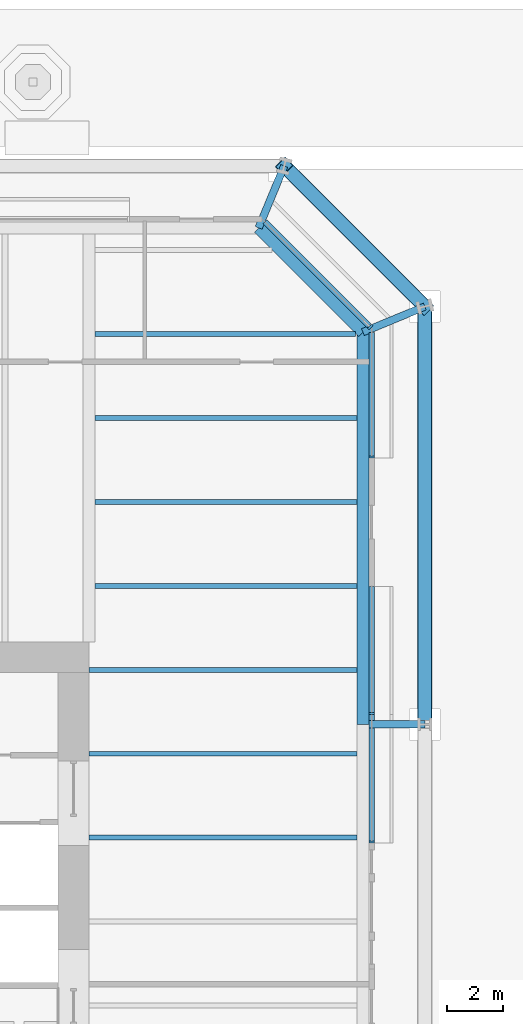
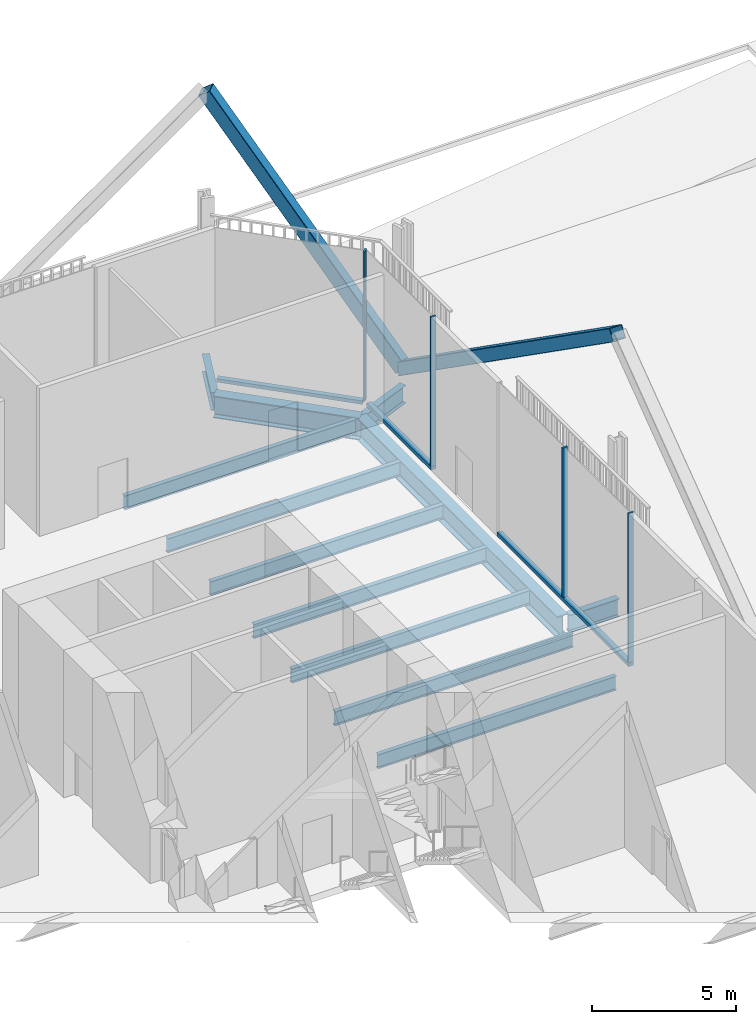
# One storey, part 11 of 28: 12 beams, 9 members, 2 elements without a shape of their own.
"""IFC4 building model written with IfcOpenShell, lengths in metres."""

from ifc_helpers import new_model, si_unit, direction, frame, origin, origin_2d, place, context, subcontext, project, spatial, rectangle, hollow_rectangle, i_section, extrude, material, layer, layer_set, material_profile, profile_set, type_object, element, aggregate, save


model = new_model("IFC4")

# Units and contexts
model_context = context("Model", 3, precision=1e-05, world=origin(), true_north=direction((0.0, 1.0)))
body_context = subcontext(model_context, "Body", "Model", "MODEL_VIEW")
ifc_project = project(units=[si_unit("LENGTHUNIT", "METRE"), si_unit("AREAUNIT", "SQUARE_METRE"), si_unit("VOLUMEUNIT", "CUBIC_METRE"), si_unit("PLANEANGLEUNIT", "RADIAN"), si_unit("MASSUNIT", "GRAM", prefix="KILO")], contexts=[model_context])

# Site, building, storey
site_placement = place(None, origin())
site = spatial("IfcSite", under=ifc_project, at=site_placement, CompositionType="ELEMENT")
building_placement = place(site_placement, origin())
building = spatial("IfcBuilding", under=site, at=building_placement, Name="Millrace Tower", CompositionType="ELEMENT")
storey_placement = place(building_placement, origin())
storey = spatial("IfcBuildingStorey", under=building, at=storey_placement, Name="L01", CompositionType="ELEMENT", Elevation=0.0)

# Curtain wall, members
ifc_material_1 = material(Name="Aluminium and glass", Category="aluminium")
ifc_layer = layer(ifc_material_1, 0.199951171875)
ifc_layer_set = layer_set([ifc_layer], Name="Aluminium and glass")
curtain_wall_type = type_object("IfcCurtainWallType", Name="CW-6 lobby and cascade wing storefront", PredefinedType="NOTDEFINED", material=ifc_layer_set)
placement = place(storey_placement, origin())
curtain_wall_1 = element("IfcCurtainWall", 1, at=placement, inside=storey, type_object=curtain_wall_type, Name="Curtain wall AW1-F02 L01", PredefinedType="NOTDEFINED")
ifc_material_2 = material(Name="Aluminium", Category="aluminium")
ifc_material_profile_1 = material_profile(ifc_material_2, rectangle(XDim=0.074951171875, YDim=0.199951171875, at=origin_2d()))
ifc_profile_set_1 = profile_set([ifc_material_profile_1], Name="Aluminium")
member_type_1 = type_object("IfcMemberType", Name="CW-6 lobby and cascade wing storefront mullion", PredefinedType="MULLION", material=ifc_profile_set_1)
member_1_placement = place(storey_placement, frame((25.10009765625, 2.854248046875, 0.14990234375), z_axis=(0.0, 0.0, 1.0), x_axis=(0.0, 1.0, 0.0)))
member_1 = element("IfcMember", 2, at=member_1_placement, type_object=member_type_1, Name="CW6 mullion AW1-F02.12", PredefinedType="MULLION", context=body_context, shape_type="SweptSolid", body=[
    extrude(rectangle(XDim=0.074951171875, YDim=0.199951171875, at=origin_2d()), origin(), (0.0, 0.0, 1.0), 6.35009765625),
])
member_2_placement = place(storey_placement, frame((25.10009765625, 7.4375, 0.14990234375), z_axis=(0.0, 0.0, 1.0), x_axis=(0.0, 1.0, 0.0)))
member_2 = element("IfcMember", 3, at=member_2_placement, type_object=member_type_1, Name="CW6 mullion AW1-F02.13", PredefinedType="MULLION", context=body_context, shape_type="SweptSolid", body=[
    extrude(rectangle(XDim=0.074951171875, YDim=0.199951171875, at=origin_2d()), origin(), (0.0, 0.0, 1.0), 6.35009765625),
])
member_3_placement = place(storey_placement, frame((25.10009765625, 16.604248046875, 0.14990234375), z_axis=(0.0, 0.0, 1.0), x_axis=(0.0, 1.0, 0.0)))
member_3 = element("IfcMember", 4, at=member_3_placement, type_object=member_type_1, Name="CW6 mullion AW1-F02.15", PredefinedType="MULLION", context=body_context, shape_type="SweptSolid", body=[
    extrude(rectangle(XDim=0.074951171875, YDim=0.199951171875, at=origin_2d()), origin(), (0.0, 0.0, 1.0), 6.35009765625),
])

# Curtain wall, member
curtain_wall_2 = element("IfcCurtainWall", 5, at=placement, inside=storey, type_object=curtain_wall_type, Name="Curtain wall AW1-F03 L01", PredefinedType="NOTDEFINED")
member_4_placement = place(storey_placement, frame((25.044189453125, 21.247314453125, 0.14990234375), z_axis=(0.0, 0.0, 1.0), x_axis=(-0.707106781187, 0.707106781187, 0.0)))
member_4 = element("IfcMember", 6, at=member_4_placement, type_object=member_type_1, Name="CW6 mullion AW1-F03.1", PredefinedType="MULLION", context=body_context, shape_type="SweptSolid", body=[
    extrude(rectangle(XDim=0.074951171875, YDim=0.199951171875, at=origin_2d()), origin(), (0.0, 0.0, 1.0), 6.35009765625),
])

# Member
ifc_material_3 = material(Name="Aluminium", Category="aluminium")
ifc_material_profile_2 = material_profile(ifc_material_3, rectangle(XDim=0.199951171875, YDim=0.14990234375, at=origin_2d()))
ifc_profile_set_2 = profile_set([ifc_material_profile_2], Name="Aluminium")
member_type_2 = type_object("IfcMemberType", Name="CW-6 lobby and cascade wing storefront transom", PredefinedType="USERDEFINED", material=ifc_profile_set_2)
member_5_placement = place(storey_placement, frame((25.10009765625, 2.816650390625, 0.074951171875), z_axis=(0.0, 1.0, 0.0), x_axis=(-1.0, 0.0, 0.0)))
member_5 = element("IfcMember", 7, at=member_5_placement, type_object=member_type_2, Name="CW6 transom AW1-F02.3", ObjectType="TRANSOM", PredefinedType="USERDEFINED", context=body_context, shape_type="SweptSolid", body=[
    extrude(rectangle(XDim=0.199951171875, YDim=0.14990234375, at=origin_2d()), origin(), (0.0, 0.0, 1.0), 9.166748046875),
])

member_6_placement = place(storey_placement, frame((25.10009765625, 16.566650390625, 0.074951171875), z_axis=(0.0, 1.0, 0.0), x_axis=(-1.0, 0.0, 0.0)))
member_6 = element("IfcMember", 8, at=member_6_placement, type_object=member_type_2, Name="CW6 transom AW1-F02.4", ObjectType="TRANSOM", PredefinedType="USERDEFINED", context=body_context, shape_type="SweptSolid", body=[
    extrude(rectangle(XDim=0.199951171875, YDim=0.14990234375, at=origin_2d()), origin(), (0.0, 0.0, 1.0), 4.4833984375),
])

aggregate(curtain_wall_1, [member_1, member_2, member_3, member_5, member_6])

member_7_placement = place(storey_placement, frame((25.0, 21.29150390625, 0.074951171875), z_axis=(-0.707106781187, 0.707106781187, 0.0), x_axis=(-0.707106781187, -0.707106781187, 0.0)))
member_7 = element("IfcMember", 9, at=member_7_placement, type_object=member_type_2, Name="CW6 transom AW1-F03.1", ObjectType="TRANSOM", PredefinedType="USERDEFINED", context=body_context, shape_type="SweptSolid", body=[
    extrude(rectangle(XDim=0.199951171875, YDim=0.14990234375, at=origin_2d()), origin(), (0.0, 0.0, 1.0), 5.24462890625),
])

aggregate(curtain_wall_2, [member_4, member_7])

# Members
ifc_material_4 = material(Name="Steel ASTM A500 Grade C", Category="steel")
ifc_material_profile_3 = material_profile(ifc_material_4, hollow_rectangle(XDim=0.508056640625, YDim=0.508056640625, WallThickness=0.022216796875, InnerFilletRadius=0.01123046875, OuterFilletRadius=0.033447265625, at=origin_2d()))
ifc_profile_set_3 = profile_set([ifc_material_profile_3], Name="Steel ASTM A500 Grade C")
member_type_3 = type_object("IfcMemberType", Name="Exoskeleton brace HSS20x20x7/8", PredefinedType="BRACE", material=ifc_profile_set_3)
member_8_placement = place(storey_placement, frame((27.0, 21.978515625, 0.39990234375), z_axis=(0.0, -0.817940936421, 0.575302202783), x_axis=(1.0, 0.0, 0.0)))
element("IfcMember", 10, at=member_8_placement, inside=storey, type_object=member_type_3, Name="BRC-A-L01-08", PredefinedType="BRACE", context=body_context, shape_type="SweptSolid", body=[
    extrude(hollow_rectangle(XDim=0.508056640625, YDim=0.508056640625, WallThickness=0.022216796875, InnerFilletRadius=0.01123046875, OuterFilletRadius=0.033447265625, at=origin_2d()), origin(), (0.0, 0.0, 1.0), 18.251220703125),
])
member_9_placement = place(storey_placement, frame((27.0, 21.978515625, 0.39990234375), z_axis=(-0.396141533901, 0.396141533901, 0.828337956535), x_axis=(-0.707106781187, -0.707106781187, 0.0)))
element("IfcMember", 11, at=member_9_placement, inside=storey, type_object=member_type_3, Name="BRC-A-L01-09", PredefinedType="BRACE", context=body_context, shape_type="SweptSolid", body=[
    extrude(hollow_rectangle(XDim=0.508056640625, YDim=0.508056640625, WallThickness=0.022216796875, InnerFilletRadius=0.01123046875, OuterFilletRadius=0.033447265625, at=origin_2d()), origin(), (0.0, 0.0, 1.0), 12.676025390625),
])

# Beams
ifc_material_5 = material(Name="Steel ASTM A992 Grade 50", Category="steel")
ifc_material_profile_4 = material_profile(ifc_material_5, i_section(OverallWidth=0.177978515625, OverallDepth=0.599365234375, WebThickness=0.010009765625, FlangeThickness=0.012939453125, FilletRadius=0.012939453125, at=origin_2d()))
ifc_profile_set_4 = profile_set([ifc_material_profile_4], Name="Steel ASTM A992 Grade 50")
beam_type_1 = type_object("IfcBeamType", Name="Floor beam W24x55", PredefinedType="JOIST", material=ifc_profile_set_4)
for number, where, z_axis, x_axis, name in (
    (12, (15.0, 3.0, -0.599609375), (1.0, 0.0, 0.0), (0.0, 1.0, 0.0), "BM-A-L01-S1-S025"),
    (13, (15.0, 6.0, -0.599609375), (1.0, 0.0, 0.0), (0.0, 1.0, 0.0), "BM-A-L01-S1-S028"),
    (14, (15.0, 9.0, -0.599609375), (1.0, 0.0, 0.0), (0.0, 1.0, 0.0), "BM-A-L01-S1-S031"),
):
    element("IfcBeam", number, at=place(storey_placement, frame(where, z_axis=z_axis, x_axis=x_axis)), inside=storey, type_object=beam_type_1, Name=name, PredefinedType="JOIST", context=body_context, shape_type="SweptSolid", body=[
        extrude(i_section(OverallWidth=0.177978515625, OverallDepth=0.599365234375, WebThickness=0.010009765625, FlangeThickness=0.012939453125, FilletRadius=0.012939453125, at=origin_2d()), origin(), (0.0, 0.0, 1.0), 9.578369140625),
    ])
for number, where, z_axis, x_axis, name in (
    (15, (15.212158203125, 12.0, -0.599609375), (1.0, 0.0, 0.0), (0.0, 1.0, 0.0), "BM-A-L01-S1-S033"),
    (16, (15.212158203125, 15.0, -0.599609375), (1.0, 0.0, 0.0), (0.0, 1.0, 0.0), "BM-A-L01-S1-S035"),
    (17, (15.212158203125, 18.0, -0.599609375), (1.0, 0.0, 0.0), (0.0, 1.0, 0.0), "BM-A-L01-S1-S037"),
):
    element("IfcBeam", number, at=place(storey_placement, frame(where, z_axis=z_axis, x_axis=x_axis)), inside=storey, type_object=beam_type_1, Name=name, PredefinedType="JOIST", context=body_context, shape_type="SweptSolid", body=[
        extrude(i_section(OverallWidth=0.177978515625, OverallDepth=0.599365234375, WebThickness=0.010009765625, FlangeThickness=0.012939453125, FilletRadius=0.012939453125, at=origin_2d()), origin(), (0.0, 0.0, 1.0), 9.3662109375),
    ])
beam_1_placement = place(storey_placement, frame((15.212158203125, 21.0, -0.599609375), z_axis=(1.0, 0.0, 0.0), x_axis=(0.0, 1.0, 0.0)))
element("IfcBeam", 18, at=beam_1_placement, inside=storey, type_object=beam_type_1, Name="BM-A-L01-S1-S039", PredefinedType="JOIST", context=body_context, shape_type="SweptSolid", body=[
    extrude(i_section(OverallWidth=0.177978515625, OverallDepth=0.599365234375, WebThickness=0.010009765625, FlangeThickness=0.012939453125, FilletRadius=0.012939453125, at=origin_2d()), origin(), (0.0, 0.0, 1.0), 9.317626953125),
])
ifc_material_6 = material(Name="Steel ASTM A992 Grade 50", Category="steel")
ifc_material_profile_5 = material_profile(ifc_material_6, i_section(OverallWidth=0.2666015625, OverallDepth=0.7568359375, WebThickness=0.013916015625, FlangeThickness=0.019287109375, FilletRadius=0.0166015625, at=origin_2d()))
ifc_profile_set_5 = profile_set([ifc_material_profile_5], Name="Steel ASTM A992 Grade 50")
beam_type_2 = type_object("IfcBeamType", Name="Link beam W30x108", PredefinedType="BEAM", material=ifc_profile_set_5)
for number, where, z_axis, x_axis, name in (
    (19, (21.062744140625, 24.7890625, -0.678466796875), (0.382673155247, 0.923883789366, 0.0), (-0.923883789366, 0.382673155247, 0.0), "LNK-A-L01-S1-08"),
    (20, (24.7890625, 21.062744140625, -0.678466796875), (0.923883789366, 0.382673155247, 0.0), (-0.382673155247, 0.923883789366, 0.0), "LNK-A-L01-S1-09"),
):
    element("IfcBeam", number, at=place(storey_placement, frame(where, z_axis=z_axis, x_axis=x_axis)), inside=storey, type_object=beam_type_2, Name=name, PredefinedType="BEAM", context=body_context, shape_type="SweptSolid", body=[
        extrude(i_section(OverallWidth=0.2666015625, OverallDepth=0.7568359375, WebThickness=0.013916015625, FlangeThickness=0.019287109375, FilletRadius=0.0166015625, at=origin_2d()), origin(), (0.0, 0.0, 1.0), 2.39306640625),
    ])
beam_2_placement = place(storey_placement, frame((25.0, 7.050048828125, -0.678466796875), z_axis=(1.0, 0.0, 0.0), x_axis=(0.0, 1.0, 0.0)))
element("IfcBeam", 21, at=beam_2_placement, inside=storey, type_object=beam_type_2, Name="LNK-A-L01-S1-10", PredefinedType="BEAM", context=body_context, shape_type="SweptSolid", body=[
    extrude(i_section(OverallWidth=0.2666015625, OverallDepth=0.7568359375, WebThickness=0.013916015625, FlangeThickness=0.019287109375, FilletRadius=0.0166015625, at=origin_2d()), origin(), (0.0, 0.0, 1.0), 2.0),
])
ifc_material_7 = material(Name="Steel ASTM A992 Grade 50", Category="steel")
ifc_material_profile_6 = material_profile(ifc_material_7, i_section(OverallWidth=0.421630859375, OverallDepth=0.937255859375, WebThickness=0.021240234375, FlangeThickness=0.03662109375, FilletRadius=0.024169921875, at=origin_2d()))
ifc_profile_set_6 = profile_set([ifc_material_profile_6], Name="Steel ASTM A992 Grade 50")
beam_type_3 = type_object("IfcBeamType", Name="Ring beam medium span W36x262", PredefinedType="SPANDREL", material=ifc_profile_set_6)
beam_3_placement = place(storey_placement, frame((24.7890625, 21.062744140625, -0.7685546875), z_axis=(0.0, -1.0, 0.0), x_axis=(1.0, 0.0, 0.0)))
element("IfcBeam", 22, at=beam_3_placement, inside=storey, type_object=beam_type_3, Name="RNG-A-L01-S1-09", PredefinedType="SPANDREL", context=body_context, shape_type="SweptSolid", body=[
    extrude(i_section(OverallWidth=0.421630859375, OverallDepth=0.937255859375, WebThickness=0.021240234375, FlangeThickness=0.03662109375, FilletRadius=0.024169921875, at=origin_2d()), origin(), (0.0, 0.0, 1.0), 14.0126953125),
])
ifc_material_8 = material(Name="Steel ASTM A992 Grade 50", Category="steel")
ifc_material_profile_7 = material_profile(ifc_material_8, i_section(OverallWidth=0.421630859375, OverallDepth=0.937255859375, WebThickness=0.021240234375, FlangeThickness=0.03662109375, FilletRadius=0.024169921875, at=origin_2d()))
ifc_profile_set_7 = profile_set([ifc_material_profile_7], Name="Steel ASTM A992 Grade 50")
beam_type_4 = type_object("IfcBeamType", Name="Ring beam short span W36x262", PredefinedType="SPANDREL", material=ifc_profile_set_7)
beam_4_placement = place(storey_placement, frame((21.062744140625, 24.7890625, -0.7685546875), z_axis=(0.707106781187, -0.707106781187, 0.0), x_axis=(0.707106781187, 0.707106781187, 0.0)))
element("IfcBeam", 23, at=beam_4_placement, inside=storey, type_object=beam_type_4, Name="RNG-A-L01-S1-08", PredefinedType="SPANDREL", context=body_context, shape_type="SweptSolid", body=[
    extrude(i_section(OverallWidth=0.421630859375, OverallDepth=0.937255859375, WebThickness=0.021240234375, FlangeThickness=0.03662109375, FilletRadius=0.024169921875, at=origin_2d()), origin(), (0.0, 0.0, 1.0), 5.269775390625),
])

save(model, "model.ifc")
